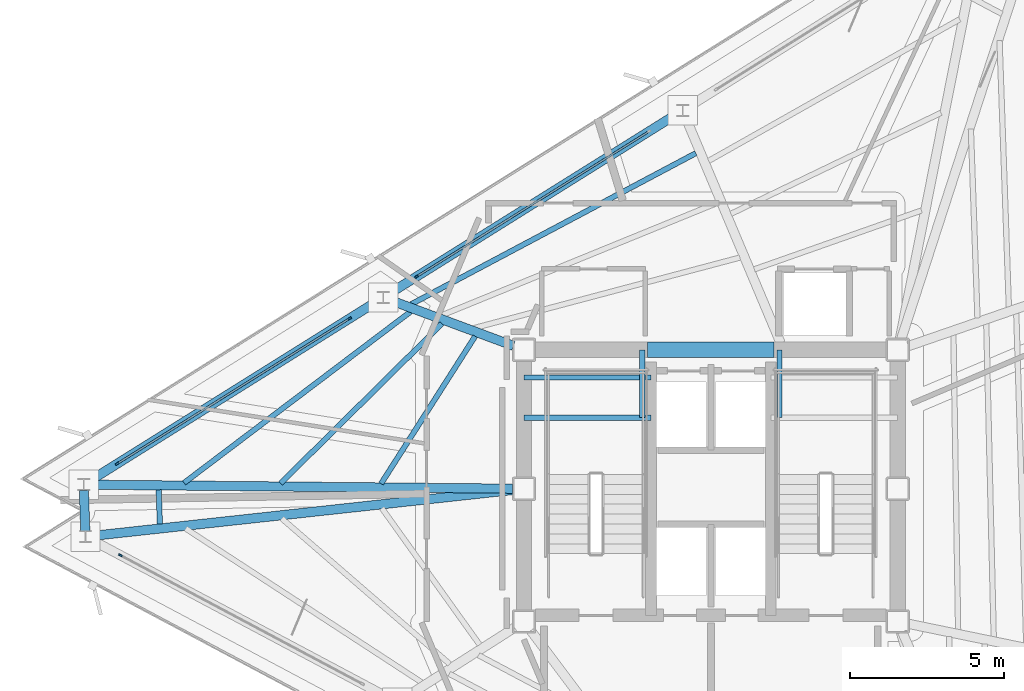
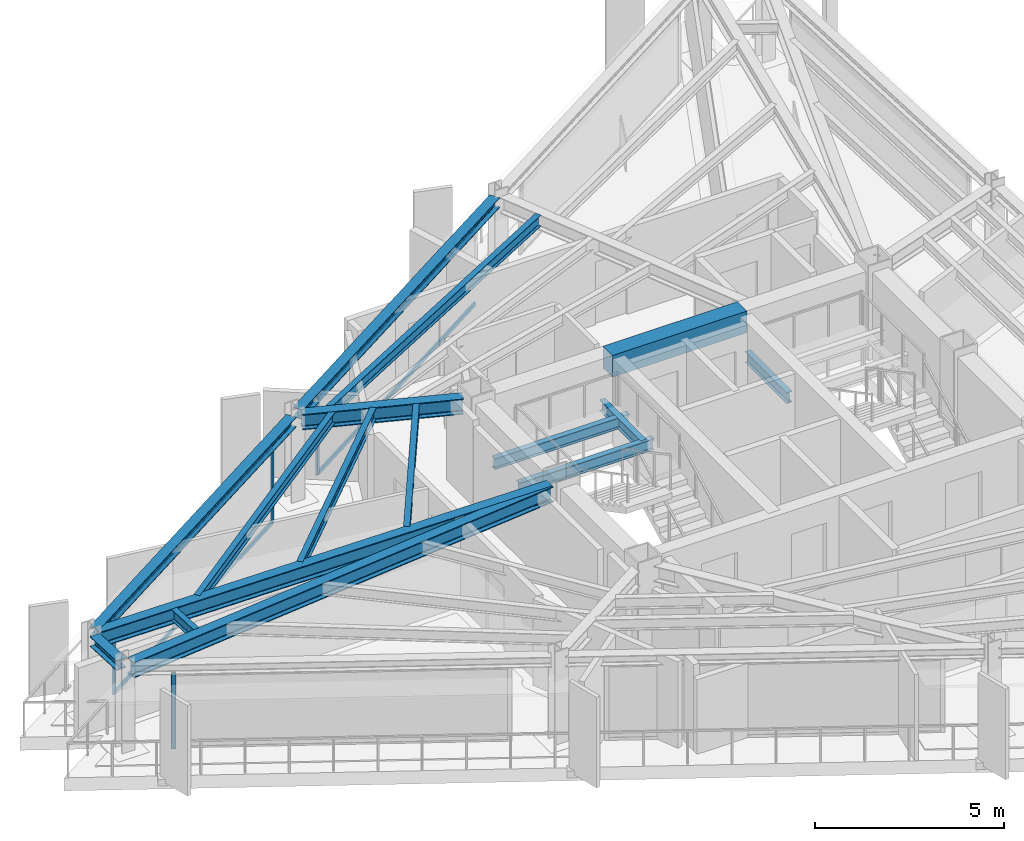
# One storey, part 4 of 13: 16 beams, 8 members, 3 elements without a shape of their own.
"""IFC4 building model written with IfcOpenShell, lengths in metres."""

import ifcopenshell
import ifcopenshell.guid

model = None  # the IFC model being written
_history = None  # IfcOwnerHistory: only IFC2X3 demands one
_inside = {}  # id of a spatial element -> (the spatial element, [elements in it])
_under = {}  # id of a project, library or spatial element -> (it, [spatial elements below it])
_declared = {}  # id of a project -> (the project, [libraries it declares])
_typed = {}  # id of a type object -> (the type object, [elements of that type])
_made_of = {}  # id of a material, layer set ... -> (it, [elements and type objects made of it])


def new_model(schema):
    """Start an empty IFC model of exactly this schema.

    Asked for "IFC4X3", IfcOpenShell would pick the latest addendum, in which some entities
    have other attributes; the version numbers below select the first issue.
    IFC2X3 requires an IfcOwnerHistory on every rooted entity: one is made here for all.
    """
    global model, _history
    if schema == "IFC4X3":
        model = ifcopenshell.file(schema_version=(4, 3, 0, 0))
    else:
        model = ifcopenshell.file(schema=schema)
    _inside.clear()
    _under.clear()
    _declared.clear()
    _typed.clear()
    _made_of.clear()
    _history = None
    if model.schema == "IFC2X3":
        org = make("IfcOrganization", Name="unknown")
        user = make(
            "IfcPersonAndOrganization",
            ThePerson=make("IfcPerson", FamilyName="unknown"),
            TheOrganization=org,
        )
        app = make(
            "IfcApplication",
            ApplicationDeveloper=org,
            Version="unknown",
            ApplicationFullName="unknown",
            ApplicationIdentifier="unknown",
        )
        _history = make(
            "IfcOwnerHistory",
            OwningUser=user,
            OwningApplication=app,
            ChangeAction="ADDED",
            CreationDate=0,
        )
    return model


def make(cls, **values):
    """One entity of the class cls with the attributes given. An attribute that is None is left unset."""
    return model.create_entity(
        cls, **{name: value for name, value in values.items() if value is not None}
    )


def rooted(cls, **values):
    """An entity with a GlobalId (a new one), such as an element, a storey or a relation."""
    return make(cls, GlobalId=ifcopenshell.guid.new(), OwnerHistory=_history, **values)


def si_unit(unit_type, name, prefix=None):
    """IfcSIUnit, for example si_unit("LENGTHUNIT", "METRE", prefix="MILLI")."""
    return make("IfcSIUnit", UnitType=unit_type, Prefix=prefix, Name=name)


def assignment(units):
    """IfcUnitAssignment: the units of a project."""
    return None if units is None else make("IfcUnitAssignment", Units=units)


def point(xyz):
    """IfcCartesianPoint."""
    return None if xyz is None else make("IfcCartesianPoint", Coordinates=xyz)


def direction(xyz):
    """IfcDirection."""
    return None if xyz is None else make("IfcDirection", DirectionRatios=xyz)


def frame(location, z_axis=None, x_axis=None):
    """IfcAxis2Placement3D, a coordinate frame: its origin and axes. An axis left out is left unset."""
    return make(
        "IfcAxis2Placement3D",
        Location=point(location),
        Axis=direction(z_axis),
        RefDirection=direction(x_axis),
    )


def frame_2d(location, x_axis=None):
    """IfcAxis2Placement2D, a coordinate frame in the plane: its origin and x axis."""
    return make(
        "IfcAxis2Placement2D", Location=point(location), RefDirection=direction(x_axis)
    )


def origin():
    """The frame at (0, 0, 0) with its axes left unset."""
    return frame((0.0, 0.0, 0.0))


def origin_2d():
    """The frame at (0, 0) in the plane with its x axis left unset."""
    return frame_2d((0.0, 0.0))


def place(relative_to, where):
    """IfcLocalPlacement: puts the frame where relative to a parent placement (None: the world)."""
    return make(
        "IfcLocalPlacement", PlacementRelTo=relative_to, RelativePlacement=where
    )


def context(
    kind, dimensions, precision=None, world=None, true_north=None, identifier=None
):
    """IfcGeometricRepresentationContext, for example the 3D "Model" context."""
    return make(
        "IfcGeometricRepresentationContext",
        ContextIdentifier=identifier,
        ContextType=kind,
        CoordinateSpaceDimension=dimensions,
        Precision=precision,
        WorldCoordinateSystem=world,
        TrueNorth=true_north,
    )


def subcontext(parent, identifier, kind, view, scale=None):
    """IfcGeometricRepresentationSubContext, for example "Body" below "Model"."""
    return make(
        "IfcGeometricRepresentationSubContext",
        ContextIdentifier=identifier,
        ContextType=kind,
        ParentContext=parent,
        TargetScale=scale,
        TargetView=view,
    )


def project(units=None, contexts=None):
    """IfcProject with its units and contexts."""
    return rooted(
        "IfcProject",
        Name="project",
        RepresentationContexts=contexts,
        UnitsInContext=assignment(units),
    )


def spatial(cls, under=None, at=None, **own):
    """A site, building, storey or space (cls), placed at a placement, below another one or the project."""
    s = rooted(cls, ObjectPlacement=at, **own)
    if under is not None:
        _under.setdefault(under.id(), (under, []))[1].append(s)
    return s


def profile(cls, at=None, kind="AREA", **sizes):
    """A parametric profile (cls). Its sizes go by their IFC names, for example OverallWidth=200.0."""
    return make(cls, ProfileType=kind, Position=at, **sizes)


def rectangle(**sizes):
    """IfcRectangleProfileDef."""
    return profile("IfcRectangleProfileDef", **sizes)


def i_section(**sizes):
    """IfcIShapeProfileDef."""
    return profile("IfcIShapeProfileDef", **sizes)


def extrude(swept, where, along, depth):
    """IfcExtrudedAreaSolid: the profile swept, set in the frame where, extruded along a direction by depth."""
    return make(
        "IfcExtrudedAreaSolid",
        SweptArea=swept,
        Position=where,
        ExtrudedDirection=direction(along),
        Depth=depth,
    )


def shape(context_of_items, identifier, shape_type, items):
    """IfcShapeRepresentation: the items that make up one representation, for example the "Body"."""
    return make(
        "IfcShapeRepresentation",
        ContextOfItems=context_of_items,
        RepresentationIdentifier=identifier,
        RepresentationType=shape_type,
        Items=items,
    )


def material(Name=None, Category=None):
    """IfcMaterial."""
    return make("IfcMaterial", Name=Name, Category=Category)


def layer(
    of_material, thickness, ventilated=None, Name=None, Category=None, Priority=None
):
    """IfcMaterialLayer: one layer of a wall or slab, of a material (None: an air gap)."""
    return make(
        "IfcMaterialLayer",
        Material=of_material,
        LayerThickness=thickness,
        IsVentilated=ventilated,
        Name=Name,
        Category=Category,
        Priority=Priority,
    )


def layer_set(layers, Name=None):
    """IfcMaterialLayerSet."""
    return make("IfcMaterialLayerSet", MaterialLayers=layers, LayerSetName=Name)


def material_profile(
    of_material, cross_section, Name=None, Category=None, Priority=None
):
    """IfcMaterialProfile: a cross section and its material."""
    return make(
        "IfcMaterialProfile",
        Name=Name,
        Material=of_material,
        Profile=cross_section,
        Priority=Priority,
        Category=Category,
    )


def profile_set(profiles, Name=None, composite=None):
    """IfcMaterialProfileSet."""
    return make(
        "IfcMaterialProfileSet",
        Name=Name,
        MaterialProfiles=profiles,
        CompositeProfile=composite,
    )


def made_of(thing, what):
    """Note that an element or type object is made of a material, layer set ...; save() writes the relation."""
    if what is not None:
        _made_of.setdefault(what.id(), (what, []))[1].append(thing)
    return thing


def type_object(cls, material=None, **own):
    """A type object (cls), such as IfcWallType, which elements share."""
    return made_of(rooted(cls, **own), material)


def element(
    cls,
    number,
    at=None,
    inside=None,
    cuts=None,
    type_object=None,
    material=None,
    context=None,
    identifier="Body",
    shape_type=None,
    held_by="IfcProductDefinitionShape",
    body=None,
    shapes=None,
    **own,
):
    """One element of the class cls, such as IfcWall. Its Tag is "e" and its number.

    at: its placement. inside: the storey or other place that contains it. cuts: it is an
    opening in that element (IfcRelVoidsElement). A single representation is given by context,
    identifier, shape_type and body (its items); several are given by shapes. held_by: the class
    of the entity that holds the representations. save() writes the other relations.
    """
    e = rooted(cls, Tag="e%d" % number, ObjectPlacement=at, **own)
    if body is not None:
        shapes = [shape(context, identifier, shape_type, body)]
    if shapes is not None:
        e.Representation = make(held_by, Representations=shapes)
    if inside is not None:
        _inside.setdefault(inside.id(), (inside, []))[1].append(e)
    if cuts is not None:
        rooted(
            "IfcRelVoidsElement", RelatingBuildingElement=cuts, RelatedOpeningElement=e
        )
    if type_object is not None:
        _typed.setdefault(type_object.id(), (type_object, []))[1].append(e)
    return made_of(e, material)


def aggregate(whole, parts):
    """IfcRelAggregates: a whole, such as a stair, and the parts it consists of."""
    return rooted("IfcRelAggregates", RelatingObject=whole, RelatedObjects=parts)


def save(model, path):
    """Write the relations noted so far, then the file.

    IfcRelAggregates (storeys below a building ...), IfcRelContainedInSpatialStructure (elements
    in a storey), IfcRelDefinesByType, IfcRelAssociatesMaterial and IfcRelDeclares: one each for
    every whole, place, type object, material and project.
    """
    for whole, parts in _under.values():
        aggregate(whole, parts)
    for where, things in _inside.values():
        rooted(
            "IfcRelContainedInSpatialStructure",
            RelatedElements=things,
            RelatingStructure=where,
        )
    for kind, things in _typed.values():
        rooted("IfcRelDefinesByType", RelatedObjects=things, RelatingType=kind)
    for what, things in _made_of.values():
        rooted("IfcRelAssociatesMaterial", RelatedObjects=things, RelatingMaterial=what)
    for by, libraries in _declared.values():
        rooted("IfcRelDeclares", RelatingContext=by, RelatedDefinitions=libraries)
    model.write(path)


model = new_model("IFC4")

# Units and contexts
model_context = context("Model", 3, precision=1e-05, world=origin(), true_north=direction((0.0, 1.0)))
body_context = subcontext(model_context, "Body", "Model", "MODEL_VIEW")
ifc_project = project(units=[si_unit("LENGTHUNIT", "METRE"), si_unit("AREAUNIT", "SQUARE_METRE"), si_unit("VOLUMEUNIT", "CUBIC_METRE"), si_unit("PLANEANGLEUNIT", "RADIAN"), si_unit("MASSUNIT", "GRAM", prefix="KILO")], contexts=[model_context])

# Site, building, storey
site_placement = place(None, origin())
site = spatial("IfcSite", under=ifc_project, at=site_placement, CompositionType="ELEMENT")
building_placement = place(site_placement, origin())
building = spatial("IfcBuilding", under=site, at=building_placement, Name="Rocaltana Carrier Exchange", CompositionType="ELEMENT")
storey_placement = place(building_placement, frame((0.0, 0.0, 193.60009765625)))
storey = spatial("IfcBuildingStorey", under=building, at=storey_placement, Name="L61", CompositionType="ELEMENT", Elevation=193.60009765625)

# Curtain wall, member
ifc_material_1 = material(Name="Aluminium 6063-T6", Category="aluminium")
ifc_layer = layer(ifc_material_1, 0.1201171875)
ifc_layer_set = layer_set([ifc_layer], Name="Aluminium 6063-T6")
curtain_wall_type = type_object("IfcCurtainWallType", Name="High-Altitude Thermal Curtain Wall CW-05", PredefinedType="NOTDEFINED", material=ifc_layer_set)
curtain_wall_1_placement = place(storey_placement, origin())
curtain_wall_1 = element("IfcCurtainWall", 1, at=curtain_wall_1_placement, inside=storey, type_object=curtain_wall_type, Name="L61 CW-05 Run CW-L61-F2S2", PredefinedType="NOTDEFINED")
ifc_material_2 = material(Name="Aluminium 6063-T6", Category="aluminium")
ifc_material_profile_1 = material_profile(ifc_material_2, rectangle(XDim=0.06005859375, YDim=0.1201171875, at=origin_2d()), Name="AL-60X120")
ifc_profile_set_1 = profile_set([ifc_material_profile_1], Name="Aluminium 6063-T6")
member_type_1 = type_object("IfcMemberType", Name="CW-05 Mullion AL-60X120", PredefinedType="MULLION", material=ifc_profile_set_1)
member_1_placement = place(storey_placement, frame((-9.52490234375, 6.870849609375, 0.0), z_axis=(0.0, 0.0, 1.0), x_axis=(0.529920452816, -0.848047353446, 0.0)))
member_1 = element("IfcMember", 2, at=member_1_placement, type_object=member_type_1, Name="CW-05 mullion 2", PredefinedType="MULLION", context=body_context, shape_type="SweptSolid", body=[
    extrude(rectangle(XDim=0.06005859375, YDim=0.1201171875, at=origin_2d()), origin(), (0.0, 0.0, 1.0), 2.447998046875),
])

# Curtain wall, members
curtain_wall_2_placement = place(storey_placement, origin())
curtain_wall_2 = element("IfcCurtainWall", 3, at=curtain_wall_2_placement, inside=storey, type_object=curtain_wall_type, Name="L61 CW-05 Run CW-L61-F2S3", PredefinedType="NOTDEFINED")
member_2_placement = place(storey_placement, frame((-11.696044921875, 5.514404296875, 0.0), z_axis=(0.0, 0.0, 1.0), x_axis=(0.529915422228, -0.848050496896, 0.0)))
member_2 = element("IfcMember", 4, at=member_2_placement, type_object=member_type_1, Name="CW-05 mullion 1", PredefinedType="MULLION", context=body_context, shape_type="SweptSolid", body=[
    extrude(rectangle(XDim=0.06005859375, YDim=0.1201171875, at=origin_2d()), origin(), (0.0, 0.0, 1.0), 2.447998046875),
])
member_3_placement = place(storey_placement, frame((-19.220947265625, 0.812255859375, 0.0), z_axis=(0.0, 0.0, 1.0), x_axis=(0.529915422228, -0.848050496896, 0.0)))
member_3 = element("IfcMember", 5, at=member_3_placement, type_object=member_type_1, Name="CW-05 mullion 2", PredefinedType="MULLION", context=body_context, shape_type="SweptSolid", body=[
    extrude(rectangle(XDim=0.06005859375, YDim=0.1201171875, at=origin_2d()), origin(), (0.0, 0.0, 1.0), 2.447998046875),
])

# Curtain wall, member
curtain_wall_3_placement = place(storey_placement, origin())
curtain_wall_3 = element("IfcCurtainWall", 6, at=curtain_wall_3_placement, inside=storey, type_object=curtain_wall_type, Name="L61 CW-05 Run CW-L61-F3S1", PredefinedType="NOTDEFINED")
member_4_placement = place(storey_placement, frame((-19.11767578125, -2.15087890625, 0.0), z_axis=(0.0, 0.0, 1.0), x_axis=(0.469483388841, 0.882941304732, 0.0)))
member_4 = element("IfcMember", 7, at=member_4_placement, type_object=member_type_1, Name="CW-05 mullion 1", PredefinedType="MULLION", context=body_context, shape_type="SweptSolid", body=[
    extrude(rectangle(XDim=0.06005859375, YDim=0.1201171875, at=origin_2d()), origin(), (0.0, 0.0, 1.0), 2.447998046875),
])
aggregate(curtain_wall_3, [member_4])

# Member
ifc_material_3 = material(Name="Aluminium 6063-T6", Category="aluminium")
ifc_material_profile_2 = material_profile(ifc_material_3, rectangle(XDim=0.06005859375, YDim=0.1201171875, at=origin_2d()), Name="AL-60X120")
ifc_profile_set_2 = profile_set([ifc_material_profile_2], Name="Aluminium 6063-T6")
member_type_2 = type_object("IfcMemberType", Name="CW-05 Transom AL-60X120", PredefinedType="USERDEFINED", material=ifc_profile_set_2)
member_5_placement = place(storey_placement, frame((-2.025390625, 11.55712890625, 0.02978515625), z_axis=(-0.848044988156, -0.529924238042, 0.0), x_axis=(0.529924238042, -0.848044988156, 0.0)))
member_5 = element("IfcMember", 8, at=member_5_placement, type_object=member_type_2, Name="CW-05 transom 1.1", ObjectType="TRANSOM", PredefinedType="USERDEFINED", context=body_context, shape_type="SweptSolid", body=[
    extrude(rectangle(XDim=0.06005859375, YDim=0.1201171875, at=origin_2d()), origin(), (0.0, 0.0, 1.0), 8.813232421875),
])

member_6_placement = place(storey_placement, frame((-2.025390625, 11.55712890625, 2.41796875), z_axis=(-0.848044988156, -0.529924238042, 0.0), x_axis=(0.529924238042, -0.848044988156, 0.0)))
member_6 = element("IfcMember", 9, at=member_6_placement, type_object=member_type_2, Name="CW-05 transom 1.2", ObjectType="TRANSOM", PredefinedType="USERDEFINED", context=body_context, shape_type="SweptSolid", body=[
    extrude(rectangle(XDim=0.06005859375, YDim=0.1201171875, at=origin_2d()), origin(), (0.0, 0.0, 1.0), 8.813232421875),
])

aggregate(curtain_wall_1, [member_1, member_5, member_6])

member_7_placement = place(storey_placement, frame((-11.721435546875, 5.498291015625, 0.02978515625), z_axis=(-0.848057437019, -0.529904315435, 0.0), x_axis=(0.529904315435, -0.848057437019, 0.0)))
member_7 = element("IfcMember", 10, at=member_7_placement, type_object=member_type_2, Name="CW-05 transom 1.1", ObjectType="TRANSOM", PredefinedType="USERDEFINED", context=body_context, shape_type="SweptSolid", body=[
    extrude(rectangle(XDim=0.06005859375, YDim=0.1201171875, at=origin_2d()), origin(), (0.0, 0.0, 1.0), 8.813232421875),
])

member_8_placement = place(storey_placement, frame((-11.721435546875, 5.498291015625, 2.41796875), z_axis=(-0.848057437019, -0.529904315435, 0.0), x_axis=(0.529904315435, -0.848057437019, 0.0)))
member_8 = element("IfcMember", 11, at=member_8_placement, type_object=member_type_2, Name="CW-05 transom 1.2", ObjectType="TRANSOM", PredefinedType="USERDEFINED", context=body_context, shape_type="SweptSolid", body=[
    extrude(rectangle(XDim=0.06005859375, YDim=0.1201171875, at=origin_2d()), origin(), (0.0, 0.0, 1.0), 8.813232421875),
])

aggregate(curtain_wall_2, [member_2, member_3, member_7, member_8])

# Beams
ifc_material_4 = material(Name="Concrete C60/75", Category="concrete")
ifc_material_profile_3 = material_profile(ifc_material_4, rectangle(XDim=0.5, YDim=0.699951171875, at=origin_2d()), Name="RC-BM-500X700")
ifc_profile_set_3 = profile_set([ifc_material_profile_3], Name="Concrete C60/75")
beam_type_1 = type_object("IfcBeamType", Name="Core Coupling Lintel 500x700", PredefinedType="LINTEL", material=ifc_profile_set_3)
beam_1_placement = place(storey_placement, frame((-2.050048828125, 4.5, 2.447998046875), z_axis=(1.0, 0.0, 0.0), x_axis=(0.0, 1.0, 0.0)))
element("IfcBeam", 12, at=beam_1_placement, inside=storey, type_object=beam_type_1, Name="L61 Core Coupling Lintel CL-N", PredefinedType="LINTEL", context=body_context, shape_type="SweptSolid", body=[
    extrude(rectangle(XDim=0.5, YDim=0.699951171875, at=origin_2d()), origin(), (0.0, 0.0, 1.0), 4.10009765625),
])
ifc_material_5 = material(Name="Steel S355", Category="steel")
ifc_material_profile_4 = material_profile(ifc_material_5, i_section(OverallWidth=0.172119140625, OverallDepth=0.35791015625, WebThickness=0.0078125, FlangeThickness=0.01318359375, FilletRadius=0.011962890625, at=origin_2d()), Name="W14X38")
ifc_profile_set_4 = profile_set([ifc_material_profile_4], Name="Steel S355")
beam_type_2 = type_object("IfcBeamType", Name="Floor Joist W14X38", PredefinedType="JOIST", material=ifc_profile_set_4)
for number, where, z_axis, x_axis, name in (
    (13, (-6.050048828125, 2.300048828125, 1.140869140625), (1.0, 0.0, 0.0), (0.0, 1.0, 0.0), "L61 ST-1 Landing Carrier 1"),
    (14, (-6.050048828125, 3.60009765625, 1.140869140625), (1.0, 0.0, 0.0), (0.0, 1.0, 0.0), "L61 ST-1 Landing Carrier 2"),
):
    element("IfcBeam", number, at=place(storey_placement, frame(where, z_axis=z_axis, x_axis=x_axis)), inside=storey, type_object=beam_type_2, Name=name, PredefinedType="JOIST", context=body_context, shape_type="SweptSolid", body=[
        extrude(i_section(OverallWidth=0.172119140625, OverallDepth=0.35791015625, WebThickness=0.0078125, FlangeThickness=0.01318359375, FilletRadius=0.011962890625, at=origin_2d()), origin(), (0.0, 0.0, 1.0), 4.110107421875),
    ])
for number, where, z_axis, x_axis, name in (
    (15, (-2.219970703125, 2.300048828125, 1.140869140625), (0.0, 1.0, 0.0), (-1.0, 0.0, 0.0), "L61 ST-1 Landing Cross Trimmer"),
    (16, (2.219970703125, 2.300048828125, 1.140869140625), (0.0, 1.0, 0.0), (-1.0, 0.0, 0.0), "L61 ST-2 Landing Cross Trimmer"),
):
    element("IfcBeam", number, at=place(storey_placement, frame(where, z_axis=z_axis, x_axis=x_axis)), inside=storey, type_object=beam_type_2, Name=name, PredefinedType="JOIST", context=body_context, shape_type="SweptSolid", body=[
        extrude(i_section(OverallWidth=0.172119140625, OverallDepth=0.35791015625, WebThickness=0.0078125, FlangeThickness=0.01318359375, FilletRadius=0.011962890625, at=origin_2d()), origin(), (0.0, 0.0, 1.0), 2.199951171875),
    ])
beam_2_placement = place(storey_placement, frame((-0.48681640625, 10.8662109375, 2.618896484375), z_axis=(-0.883312459796, -0.468784703643, 0.0), x_axis=(0.468784703643, -0.883312459796, 0.0)))
element("IfcBeam", 17, at=beam_2_placement, inside=storey, type_object=beam_type_2, Name="FJ-L61-06-3", PredefinedType="JOIST", context=body_context, shape_type="SweptSolid", body=[
    extrude(i_section(OverallWidth=0.172119140625, OverallDepth=0.35791015625, WebThickness=0.0078125, FlangeThickness=0.01318359375, FilletRadius=0.011962890625, at=origin_2d()), origin(), (0.0, 0.0, 1.0), 10.439453125),
])
beam_3_placement = place(storey_placement, frame((-7.63232421875, 4.937255859375, 2.618896484375), z_axis=(-0.537927212261, -0.842991289581, 0.0), x_axis=(0.842991289581, -0.537927212261, 0.0)))
element("IfcBeam", 18, at=beam_3_placement, inside=storey, type_object=beam_type_2, Name="FJ-L61-07-1", PredefinedType="JOIST", context=body_context, shape_type="SweptSolid", body=[
    extrude(i_section(OverallWidth=0.172119140625, OverallDepth=0.35791015625, WebThickness=0.0078125, FlangeThickness=0.01318359375, FilletRadius=0.011962890625, at=origin_2d()), origin(), (0.0, 0.0, 1.0), 5.660400390625),
])
beam_4_placement = place(storey_placement, frame((-8.706298828125, 5.3466796875, 2.618896484375), z_axis=(-0.710816811973, -0.703377181757, 0.0), x_axis=(0.703377181757, -0.710816811973, 0.0)))
element("IfcBeam", 19, at=beam_4_placement, inside=storey, type_object=beam_type_2, Name="FJ-L61-07-2", PredefinedType="JOIST", context=body_context, shape_type="SweptSolid", body=[
    extrude(i_section(OverallWidth=0.172119140625, OverallDepth=0.35791015625, WebThickness=0.0078125, FlangeThickness=0.01318359375, FilletRadius=0.011962890625, at=origin_2d()), origin(), (0.0, 0.0, 1.0), 7.350830078125),
])
beam_5_placement = place(storey_placement, frame((-9.72216796875, 5.7333984375, 2.618896484375), z_axis=(-0.797798617064, -0.602924013961, 0.0), x_axis=(0.602924013961, -0.797798617064, 0.0)))
element("IfcBeam", 20, at=beam_5_placement, inside=storey, type_object=beam_type_2, Name="FJ-L61-07-3", PredefinedType="JOIST", context=body_context, shape_type="SweptSolid", body=[
    extrude(i_section(OverallWidth=0.172119140625, OverallDepth=0.35791015625, WebThickness=0.0078125, FlangeThickness=0.01318359375, FilletRadius=0.011962890625, at=origin_2d()), origin(), (0.0, 0.0, 1.0), 9.19189453125),
])
beam_6_placement = place(storey_placement, frame((-17.8779296875, -0.03271484375, 2.618896484375), z_axis=(0.034954429443, -0.999388907214, 0.0), x_axis=(0.999388907214, 0.034954429443, 0.0)))
element("IfcBeam", 21, at=beam_6_placement, inside=storey, type_object=beam_type_2, Name="FJ-L61-08-3", PredefinedType="JOIST", context=body_context, shape_type="SweptSolid", body=[
    extrude(i_section(OverallWidth=0.172119140625, OverallDepth=0.35791015625, WebThickness=0.0078125, FlangeThickness=0.01318359375, FilletRadius=0.011962890625, at=origin_2d()), origin(), (0.0, 0.0, 1.0), 1.110595703125),
])
ifc_material_6 = material(Name="Steel S355", Category="steel")
ifc_material_profile_5 = material_profile(ifc_material_6, i_section(OverallWidth=0.300048828125, OverallDepth=0.320068359375, WebThickness=0.011474609375, FlangeThickness=0.0205078125, FilletRadius=0.027099609375, at=origin_2d()), Name="HEB320")
ifc_profile_set_5 = profile_set([ifc_material_profile_5], Name="Steel S355")
beam_type_3 = type_object("IfcBeamType", Name="Spandrel Edge Beam HEB320", PredefinedType="SPANDREL", material=ifc_profile_set_5)
beam_7_placement = place(storey_placement, frame((-1.07177734375, 12.153076171875, 2.637939453125), z_axis=(-0.84805037449, -0.52991561812, 0.0), x_axis=(0.52991561812, -0.84805037449, 0.0)))
element("IfcBeam", 22, at=beam_7_placement, inside=storey, type_object=beam_type_3, Name="SP-L61-06", PredefinedType="SPANDREL", context=body_context, shape_type="SweptSolid", body=[
    extrude(i_section(OverallWidth=0.300048828125, OverallDepth=0.320068359375, WebThickness=0.011474609375, FlangeThickness=0.0205078125, FilletRadius=0.027099609375, at=origin_2d()), origin(), (0.0, 0.0, 1.0), 11.062255859375),
])
beam_8_placement = place(storey_placement, frame((-10.767822265625, 6.09423828125, 2.637939453125), z_axis=(-0.848056571721, -0.529905700253, 0.0), x_axis=(0.529905700253, -0.848056571721, 0.0)))
element("IfcBeam", 23, at=beam_8_placement, inside=storey, type_object=beam_type_3, Name="SP-L61-07", PredefinedType="SPANDREL", context=body_context, shape_type="SweptSolid", body=[
    extrude(i_section(OverallWidth=0.300048828125, OverallDepth=0.320068359375, WebThickness=0.011474609375, FlangeThickness=0.0205078125, FilletRadius=0.027099609375, at=origin_2d()), origin(), (0.0, 0.0, 1.0), 11.0625),
])
beam_9_placement = place(storey_placement, frame((-20.300048828125, -0.051513671875, 2.637939453125), z_axis=(0.034750289498, -0.999396026298, 0.0), x_axis=(0.999396026298, 0.034750289498, 0.0)))
element("IfcBeam", 24, at=beam_9_placement, inside=storey, type_object=beam_type_3, Name="SP-L61-08", PredefinedType="SPANDREL", context=body_context, shape_type="SweptSolid", body=[
    extrude(i_section(OverallWidth=0.300048828125, OverallDepth=0.320068359375, WebThickness=0.011474609375, FlangeThickness=0.0205078125, FilletRadius=0.027099609375, at=origin_2d()), origin(), (0.0, 0.0, 1.0), 1.313720703125),
])
ifc_material_7 = material(Name="Steel S355", Category="steel")
ifc_material_profile_6 = material_profile(ifc_material_7, i_section(OverallWidth=0.300048828125, OverallDepth=0.5, WebThickness=0.014404296875, FlangeThickness=0.028076171875, FilletRadius=0.027099609375, at=origin_2d()), Name="HEB500")
ifc_profile_set_6 = profile_set([ifc_material_profile_6], Name="Steel S355")
beam_type_4 = type_object("IfcBeamType", Name="Upper Radial Girder HEB500", PredefinedType="BEAM", material=ifc_profile_set_6)
beam_10_placement = place(storey_placement, frame((-6.39404296875, 4.627685546875, 2.5478515625), z_axis=(-0.937501283523, 0.347981814744, 0.0), x_axis=(-0.347981814744, -0.937501283523, 0.0)))
element("IfcBeam", 25, at=beam_10_placement, inside=storey, type_object=beam_type_4, Name="RG-L61-07", PredefinedType="BEAM", context=body_context, shape_type="SweptSolid", body=[
    extrude(i_section(OverallWidth=0.300048828125, OverallDepth=0.5, WebThickness=0.014404296875, FlangeThickness=0.028076171875, FilletRadius=0.027099609375, at=origin_2d()), origin(), (0.0, 0.0, 1.0), 4.31201171875),
])
beam_11_placement = place(storey_placement, frame((-6.4169921875, 0.00341796875, 2.5478515625), z_axis=(-0.999955930158, 0.009388170298, 0.0), x_axis=(-0.009388170298, -0.999955930158, 0.0)))
element("IfcBeam", 26, at=beam_11_placement, inside=storey, type_object=beam_type_4, Name="RG-L61-08", PredefinedType="BEAM", context=body_context, shape_type="SweptSolid", body=[
    extrude(i_section(OverallWidth=0.300048828125, OverallDepth=0.5, WebThickness=0.014404296875, FlangeThickness=0.028076171875, FilletRadius=0.027099609375, at=origin_2d()), origin(), (0.0, 0.0, 1.0), 13.70458984375),
])
beam_12_placement = place(storey_placement, frame((-6.414794921875, -0.039794921875, 2.5478515625), z_axis=(-0.994093982855, -0.108522593281, 0.0), x_axis=(0.108522593281, -0.994093982855, 0.0)))
element("IfcBeam", 27, at=beam_12_placement, inside=storey, type_object=beam_type_4, Name="RG-L61-09", PredefinedType="BEAM", context=body_context, shape_type="SweptSolid", body=[
    extrude(i_section(OverallWidth=0.300048828125, OverallDepth=0.5, WebThickness=0.014404296875, FlangeThickness=0.028076171875, FilletRadius=0.027099609375, at=origin_2d()), origin(), (0.0, 0.0, 1.0), 13.729736328125),
])

save(model, "model.ifc")
